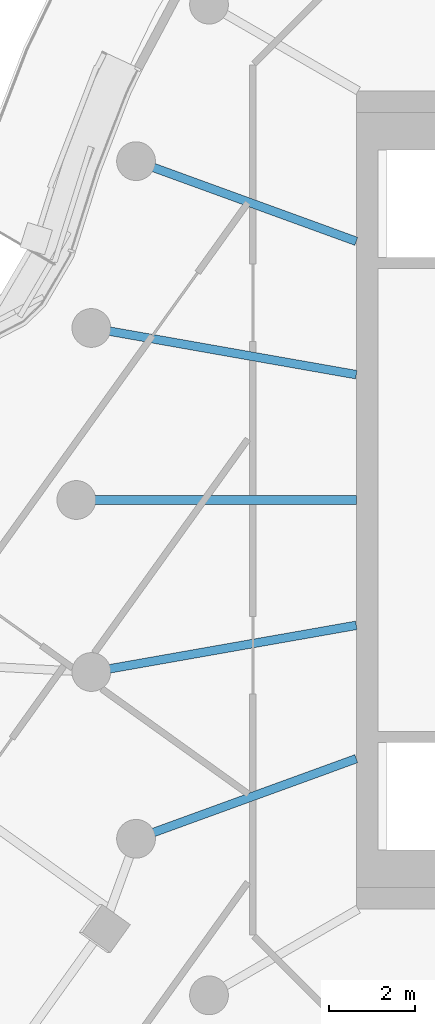
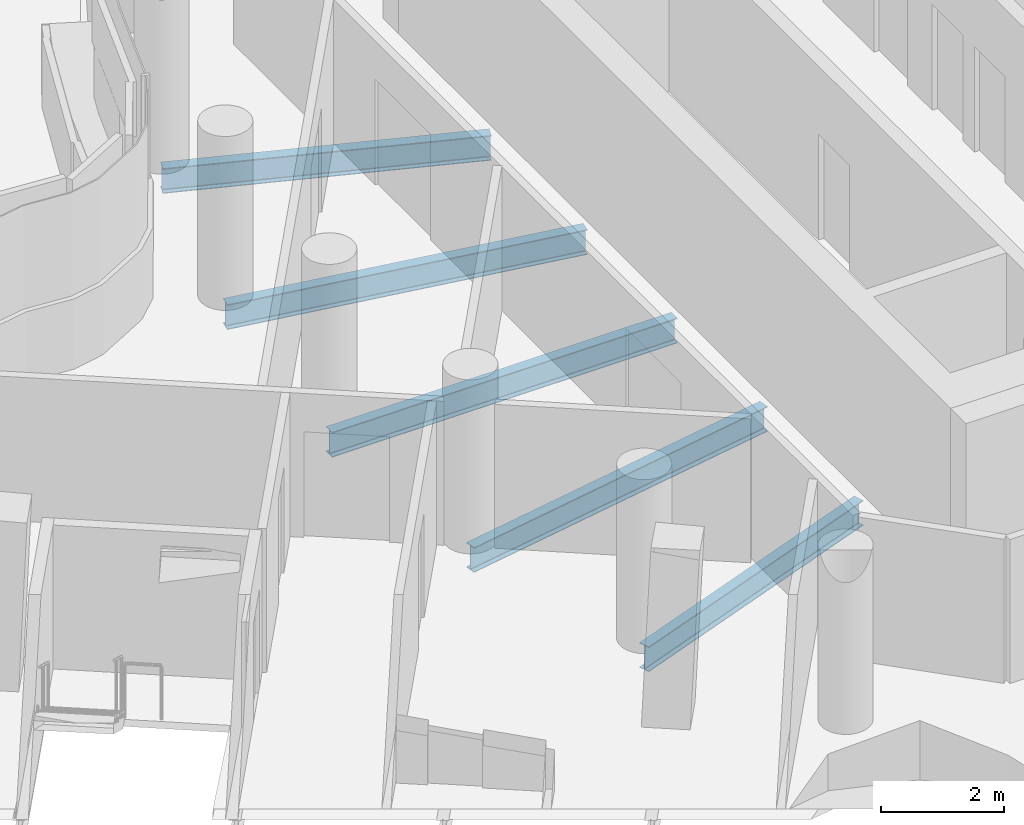
# One storey, part 5 of 27: 5 beams.
"""IFC4 building model written with IfcOpenShell, lengths in metres."""

from ifc_helpers import new_model, si_unit, direction, frame, origin, origin_2d, place, context, subcontext, project, spatial, i_section, extrude, material, material_profile, profile_set, type_object, element, save


model = new_model("IFC4")

# Units and contexts
model_context = context("Model", 3, precision=1e-05, world=origin(), true_north=direction((0.0, 1.0)))
body_context = subcontext(model_context, "Body", "Model", "MODEL_VIEW")
ifc_project = project(units=[si_unit("LENGTHUNIT", "METRE"), si_unit("AREAUNIT", "SQUARE_METRE"), si_unit("VOLUMEUNIT", "CUBIC_METRE"), si_unit("PLANEANGLEUNIT", "RADIAN"), si_unit("MASSUNIT", "GRAM", prefix="KILO")], contexts=[model_context])

# Site, building, storey
site_placement = place(None, origin())
site = spatial("IfcSite", under=ifc_project, at=site_placement, CompositionType="ELEMENT")
building_placement = place(site_placement, origin())
building = spatial("IfcBuilding", under=site, at=building_placement, Name="Tamarind Cross Interchange Tower", CompositionType="ELEMENT")
storey_placement = place(building_placement, frame((0.0, 0.0, 230.699951171875)))
storey = spatial("IfcBuildingStorey", under=building, at=storey_placement, Name="L58", CompositionType="ELEMENT", Elevation=230.699951171875)

# Beams
ifc_material = material(Name="Steel Q355B", Category="steel")
ifc_material_profile = material_profile(ifc_material, i_section(OverallWidth=0.198974609375, OverallDepth=0.49609375, WebThickness=0.009033203125, FlangeThickness=0.013916015625, FilletRadius=0.012939453125, at=origin_2d()), Name="HN 496x199x9x14")
ifc_profile_set = profile_set([ifc_material_profile], Name="Steel Q355B")
beam_type = type_object("IfcBeamType", Name="Composite beam HN 496x199x9x14 Q355B", PredefinedType="BEAM", material=ifc_profile_set)
beam_1_placement = place(storey_placement, frame((-21.613037109375, 7.866455078125, -0.387939453125), z_axis=(0.939701685589, -0.341995236956, 0.0), x_axis=(0.341995236956, 0.939701685589, 0.0)))
element("IfcBeam", 1, at=beam_1_placement, inside=storey, type_object=beam_type, Name="Beam HH16", PredefinedType="BEAM", context=body_context, shape_type="SweptSolid", body=[
    extrude(i_section(OverallWidth=0.198974609375, OverallDepth=0.49609375, WebThickness=0.009033203125, FlangeThickness=0.013916015625, FilletRadius=0.012939453125, at=origin_2d()), origin(), (0.0, 0.0, 1.0), 5.441162109375),
])
beam_2_placement = place(storey_placement, frame((-22.650634765625, 3.993896484375, -0.387939453125), z_axis=(0.984809127561, -0.173640382036, 0.0), x_axis=(0.173640382036, 0.984809127561, 0.0)))
element("IfcBeam", 2, at=beam_2_placement, inside=storey, type_object=beam_type, Name="Beam HH17", PredefinedType="BEAM", context=body_context, shape_type="SweptSolid", body=[
    extrude(i_section(OverallWidth=0.198974609375, OverallDepth=0.49609375, WebThickness=0.009033203125, FlangeThickness=0.013916015625, FilletRadius=0.012939453125, at=origin_2d()), origin(), (0.0, 0.0, 1.0), 6.24560546875),
])
beam_3_placement = place(storey_placement, frame((-23.0, 0.0, -0.387939453125), z_axis=(1.0, 0.0, 0.0), x_axis=(0.0, 1.0, 0.0)))
element("IfcBeam", 3, at=beam_3_placement, inside=storey, type_object=beam_type, Name="Beam HH18", PredefinedType="BEAM", context=body_context, shape_type="SweptSolid", body=[
    extrude(i_section(OverallWidth=0.198974609375, OverallDepth=0.49609375, WebThickness=0.009033203125, FlangeThickness=0.013916015625, FilletRadius=0.012939453125, at=origin_2d()), origin(), (0.0, 0.0, 1.0), 6.5),
])
beam_4_placement = place(storey_placement, frame((-22.650634765625, -3.993896484375, -0.387939453125), z_axis=(0.984809127561, 0.173640382036, 0.0), x_axis=(-0.173640382036, 0.984809127561, 0.0)))
element("IfcBeam", 4, at=beam_4_placement, inside=storey, type_object=beam_type, Name="Beam HH19", PredefinedType="BEAM", context=body_context, shape_type="SweptSolid", body=[
    extrude(i_section(OverallWidth=0.198974609375, OverallDepth=0.49609375, WebThickness=0.009033203125, FlangeThickness=0.013916015625, FilletRadius=0.012939453125, at=origin_2d()), origin(), (0.0, 0.0, 1.0), 6.24560546875),
])
beam_5_placement = place(storey_placement, frame((-21.613037109375, -7.866455078125, -0.387939453125), z_axis=(0.939701685589, 0.341995236956, 0.0), x_axis=(-0.341995236956, 0.939701685589, 0.0)))
element("IfcBeam", 5, at=beam_5_placement, inside=storey, type_object=beam_type, Name="Beam HH20", PredefinedType="BEAM", context=body_context, shape_type="SweptSolid", body=[
    extrude(i_section(OverallWidth=0.198974609375, OverallDepth=0.49609375, WebThickness=0.009033203125, FlangeThickness=0.013916015625, FilletRadius=0.012939453125, at=origin_2d()), origin(), (0.0, 0.0, 1.0), 5.441162109375),
])

save(model, "model.ifc")
